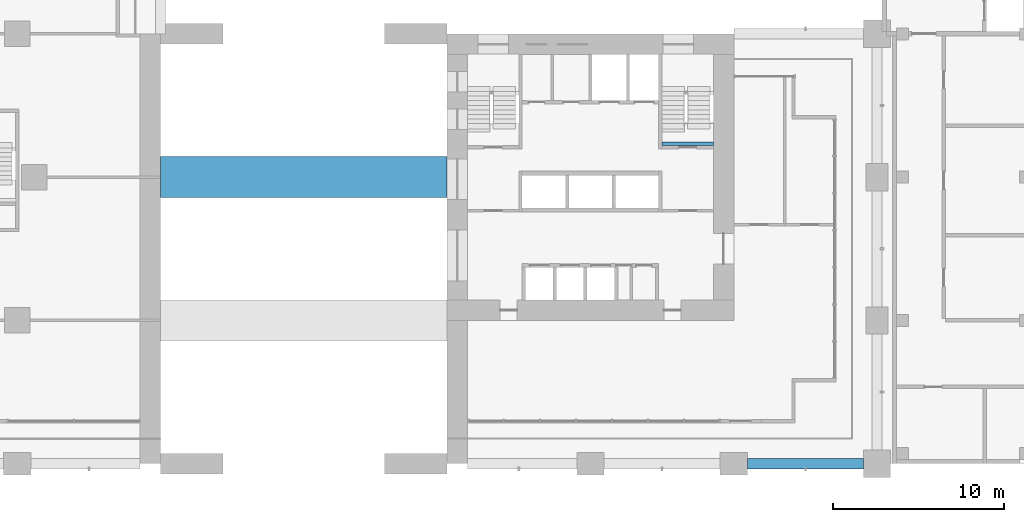
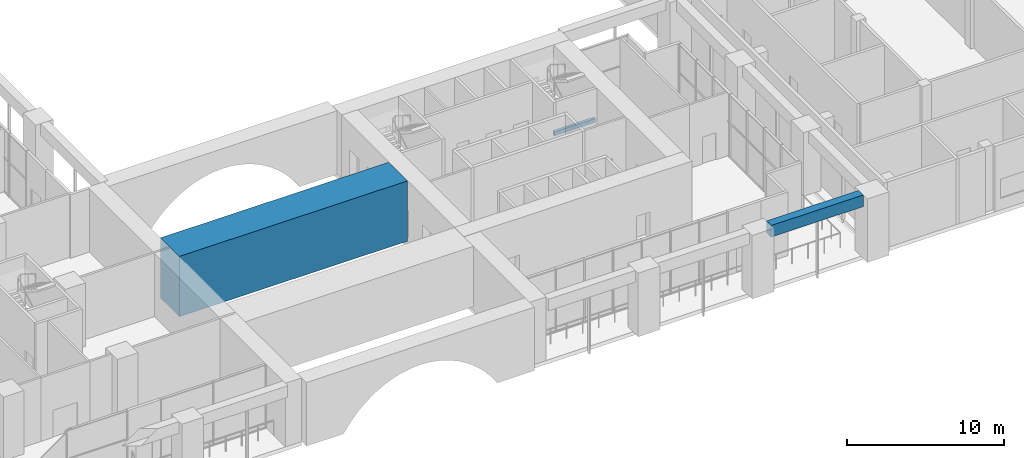
# One storey, part 4 of 26: 3 beams.
"""IFC4 building model written with IfcOpenShell, lengths in metres."""

from ifc_helpers import new_model, si_unit, direction, frame, origin, origin_2d, place, context, subcontext, project, spatial, rectangle, extrude, material, material_profile, profile_set, type_object, element, save


model = new_model("IFC4")

# Units and contexts
model_context = context("Model", 3, precision=1e-05, world=origin(), true_north=direction((0.0, 1.0)))
body_context = subcontext(model_context, "Body", "Model", "MODEL_VIEW")
ifc_project = project(units=[si_unit("LENGTHUNIT", "METRE"), si_unit("AREAUNIT", "SQUARE_METRE"), si_unit("VOLUMEUNIT", "CUBIC_METRE"), si_unit("PLANEANGLEUNIT", "RADIAN"), si_unit("MASSUNIT", "GRAM", prefix="KILO")], contexts=[model_context])

# Site, building, storey
site_placement = place(None, origin())
site = spatial("IfcSite", under=ifc_project, at=site_placement, CompositionType="ELEMENT")
building_placement = place(site_placement, origin())
building = spatial("IfcBuilding", under=site, at=building_placement, Name="Vermilion Gate Residences", CompositionType="ELEMENT")
storey_placement = place(building_placement, frame((0.0, 0.0, 9.0)))
storey = spatial("IfcBuildingStorey", under=building, at=storey_placement, Name="L01", CompositionType="ELEMENT", Elevation=9.0)

# Beams
ifc_material_1 = material(Name="Concrete C60 red-oxide pigmented", Category="concrete")
ifc_material_profile_1 = material_profile(ifc_material_1, rectangle(XDim=0.60009765625, YDim=0.89990234375, at=origin_2d()), Name="RC-600x900")
ifc_profile_set_1 = profile_set([ifc_material_profile_1], Name="Concrete C60 red-oxide pigmented")
beam_type_1 = type_object("IfcBeamType", Name="RC EDGE BEAM 600 X 900 C60", PredefinedType="BEAM", material=ifc_profile_set_1)
beam_1_placement = place(storey_placement, frame((59.60009765625, 0.0, 4.5), z_axis=(1.0, 0.0, 0.0), x_axis=(0.0, 1.0, 0.0)))
element("IfcBeam", 1, at=beam_1_placement, inside=storey, type_object=beam_type_1, Name="Edge beam L01 16", PredefinedType="BEAM", context=body_context, shape_type="SweptSolid", body=[
    extrude(rectangle(XDim=0.60009765625, YDim=0.89990234375, at=origin_2d()), origin(), (0.0, 0.0, 1.0), 6.7998046875),
])
ifc_material_2 = material(Name="Concrete C50", Category="concrete")
ifc_material_profile_2 = material_profile(ifc_material_2, rectangle(XDim=0.199951171875, YDim=0.300048828125, at=origin_2d()), Name="RC-200x300")
ifc_profile_set_2 = profile_set([ifc_material_profile_2], Name="Concrete C50")
beam_type_2 = type_object("IfcBeamType", Name="RC LANDING BEAM 200 X 300 C50", PredefinedType="BEAM", material=ifc_profile_set_2)
beam_2_placement = place(storey_placement, frame((54.580078125, 18.75, 2.35009765625), z_axis=(1.0, 0.0, 0.0), x_axis=(0.0, 1.0, 0.0)))
element("IfcBeam", 2, at=beam_2_placement, inside=storey, type_object=beam_type_2, Name="Landing beam STA2-01 2", PredefinedType="BEAM", context=body_context, shape_type="SweptSolid", body=[
    extrude(rectangle(XDim=0.199951171875, YDim=0.300048828125, at=origin_2d()), origin(), (0.0, 0.0, 1.0), 3.0400390625),
])
ifc_material_3 = material(Name="Concrete C80", Category="concrete")
ifc_material_profile_3 = material_profile(ifc_material_3, rectangle(XDim=2.39990234375, YDim=4.699951171875, at=origin_2d()), Name="RC-2400x4700")
ifc_profile_set_3 = profile_set([ifc_material_profile_3], Name="Concrete C80")
beam_type_3 = type_object("IfcBeamType", Name="RC TRANSFER GIRDER 2400 X 4700 C80", PredefinedType="BEAM", material=ifc_profile_set_3)
beam_3_placement = place(storey_placement, frame((25.199951171875, 16.800048828125, 2.60009765625), z_axis=(1.0, 0.0, 0.0), x_axis=(0.0, 1.0, 0.0)))
element("IfcBeam", 3, at=beam_3_placement, inside=storey, type_object=beam_type_3, Name="Transfer girder L02 2", PredefinedType="BEAM", context=body_context, shape_type="SweptSolid", body=[
    extrude(rectangle(XDim=2.39990234375, YDim=4.699951171875, at=origin_2d()), origin(), (0.0, 0.0, 1.0), 16.800048828125),
])

save(model, "model.ifc")
